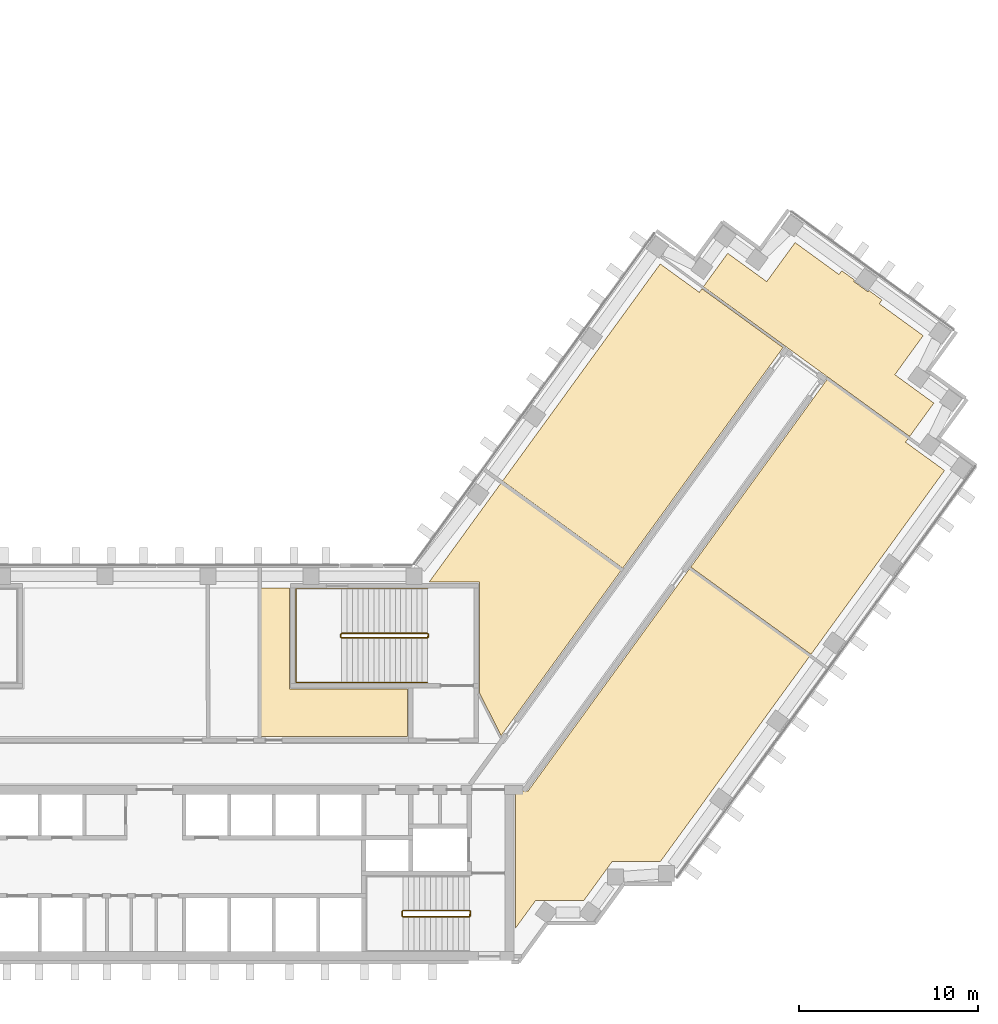
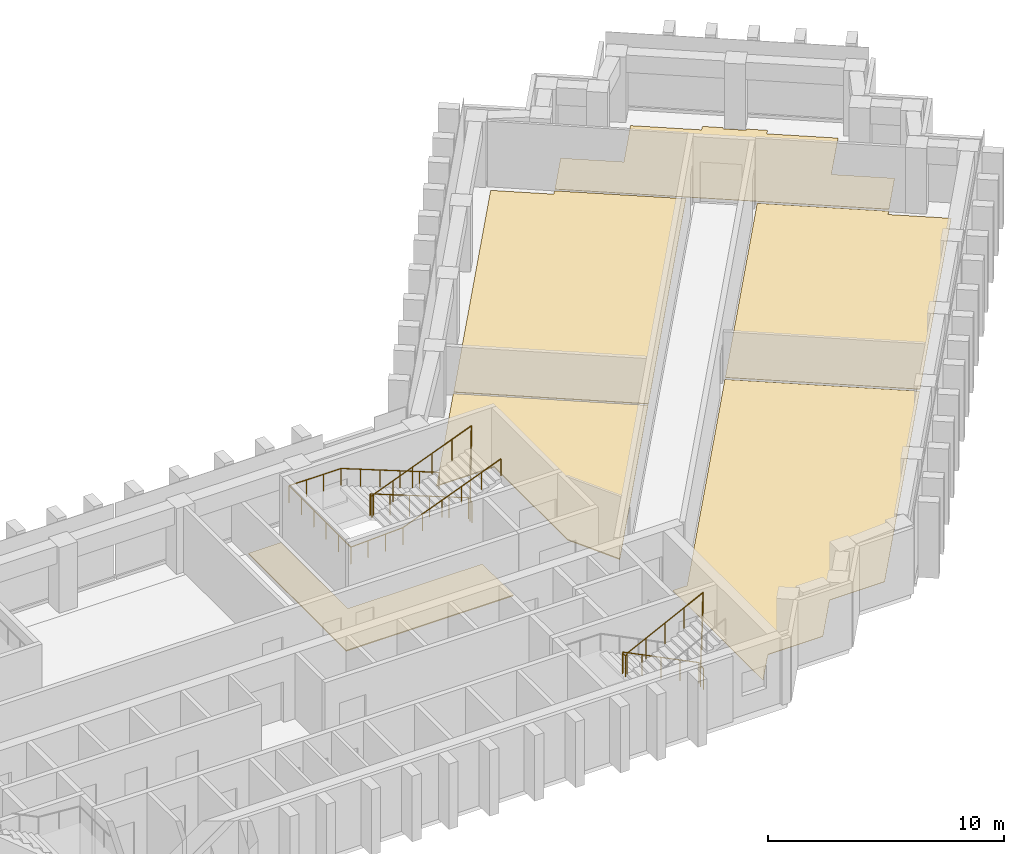
# One storey, part 11 of 11: 6 coverings, 3 railings.
"""IFC4 building model written with IfcOpenShell, lengths in metres."""

import ifcopenshell
import ifcopenshell.guid

model = None  # the IFC model being written
_history = None  # IfcOwnerHistory: only IFC2X3 demands one
_inside = {}  # id of a spatial element -> (the spatial element, [elements in it])
_under = {}  # id of a project, library or spatial element -> (it, [spatial elements below it])
_declared = {}  # id of a project -> (the project, [libraries it declares])
_typed = {}  # id of a type object -> (the type object, [elements of that type])
_made_of = {}  # id of a material, layer set ... -> (it, [elements and type objects made of it])


def new_model(schema):
    """Start an empty IFC model of exactly this schema.

    Asked for "IFC4X3", IfcOpenShell would pick the latest addendum, in which some entities
    have other attributes; the version numbers below select the first issue.
    IFC2X3 requires an IfcOwnerHistory on every rooted entity: one is made here for all.
    """
    global model, _history
    if schema == "IFC4X3":
        model = ifcopenshell.file(schema_version=(4, 3, 0, 0))
    else:
        model = ifcopenshell.file(schema=schema)
    _inside.clear()
    _under.clear()
    _declared.clear()
    _typed.clear()
    _made_of.clear()
    _history = None
    if model.schema == "IFC2X3":
        org = make("IfcOrganization", Name="unknown")
        user = make(
            "IfcPersonAndOrganization",
            ThePerson=make("IfcPerson", FamilyName="unknown"),
            TheOrganization=org,
        )
        app = make(
            "IfcApplication",
            ApplicationDeveloper=org,
            Version="unknown",
            ApplicationFullName="unknown",
            ApplicationIdentifier="unknown",
        )
        _history = make(
            "IfcOwnerHistory",
            OwningUser=user,
            OwningApplication=app,
            ChangeAction="ADDED",
            CreationDate=0,
        )
    return model


def make(cls, **values):
    """One entity of the class cls with the attributes given. An attribute that is None is left unset."""
    return model.create_entity(
        cls, **{name: value for name, value in values.items() if value is not None}
    )


def rooted(cls, **values):
    """An entity with a GlobalId (a new one), such as an element, a storey or a relation."""
    return make(cls, GlobalId=ifcopenshell.guid.new(), OwnerHistory=_history, **values)


def si_unit(unit_type, name, prefix=None):
    """IfcSIUnit, for example si_unit("LENGTHUNIT", "METRE", prefix="MILLI")."""
    return make("IfcSIUnit", UnitType=unit_type, Prefix=prefix, Name=name)


def assignment(units):
    """IfcUnitAssignment: the units of a project."""
    return None if units is None else make("IfcUnitAssignment", Units=units)


def point(xyz):
    """IfcCartesianPoint."""
    return None if xyz is None else make("IfcCartesianPoint", Coordinates=xyz)


def direction(xyz):
    """IfcDirection."""
    return None if xyz is None else make("IfcDirection", DirectionRatios=xyz)


def frame(location, z_axis=None, x_axis=None):
    """IfcAxis2Placement3D, a coordinate frame: its origin and axes. An axis left out is left unset."""
    return make(
        "IfcAxis2Placement3D",
        Location=point(location),
        Axis=direction(z_axis),
        RefDirection=direction(x_axis),
    )


def frame_2d(location, x_axis=None):
    """IfcAxis2Placement2D, a coordinate frame in the plane: its origin and x axis."""
    return make(
        "IfcAxis2Placement2D", Location=point(location), RefDirection=direction(x_axis)
    )


def origin():
    """The frame at (0, 0, 0) with its axes left unset."""
    return frame((0.0, 0.0, 0.0))


def origin_2d():
    """The frame at (0, 0) in the plane with its x axis left unset."""
    return frame_2d((0.0, 0.0))


def place(relative_to, where):
    """IfcLocalPlacement: puts the frame where relative to a parent placement (None: the world)."""
    return make(
        "IfcLocalPlacement", PlacementRelTo=relative_to, RelativePlacement=where
    )


def context(
    kind, dimensions, precision=None, world=None, true_north=None, identifier=None
):
    """IfcGeometricRepresentationContext, for example the 3D "Model" context."""
    return make(
        "IfcGeometricRepresentationContext",
        ContextIdentifier=identifier,
        ContextType=kind,
        CoordinateSpaceDimension=dimensions,
        Precision=precision,
        WorldCoordinateSystem=world,
        TrueNorth=true_north,
    )


def subcontext(parent, identifier, kind, view, scale=None):
    """IfcGeometricRepresentationSubContext, for example "Body" below "Model"."""
    return make(
        "IfcGeometricRepresentationSubContext",
        ContextIdentifier=identifier,
        ContextType=kind,
        ParentContext=parent,
        TargetScale=scale,
        TargetView=view,
    )


def project(units=None, contexts=None):
    """IfcProject with its units and contexts."""
    return rooted(
        "IfcProject",
        Name="project",
        RepresentationContexts=contexts,
        UnitsInContext=assignment(units),
    )


def spatial(cls, under=None, at=None, **own):
    """A site, building, storey or space (cls), placed at a placement, below another one or the project."""
    s = rooted(cls, ObjectPlacement=at, **own)
    if under is not None:
        _under.setdefault(under.id(), (under, []))[1].append(s)
    return s


def polyline(points):
    """IfcPolyline through the points."""
    return make("IfcPolyline", Points=[point(p) for p in points])


def profile(cls, at=None, kind="AREA", **sizes):
    """A parametric profile (cls). Its sizes go by their IFC names, for example OverallWidth=200.0."""
    return make(cls, ProfileType=kind, Position=at, **sizes)


def circle(**sizes):
    """IfcCircleProfileDef."""
    return profile("IfcCircleProfileDef", **sizes)


def outline(outer, holes=None, kind="AREA"):
    """IfcArbitraryClosedProfileDef: a profile drawn as a closed curve; with holes, ...WithVoids."""
    if holes is None:
        return make("IfcArbitraryClosedProfileDef", ProfileType=kind, OuterCurve=outer)
    return make(
        "IfcArbitraryProfileDefWithVoids",
        ProfileType=kind,
        OuterCurve=outer,
        InnerCurves=holes,
    )


def extrude(swept, where, along, depth):
    """IfcExtrudedAreaSolid: the profile swept, set in the frame where, extruded along a direction by depth."""
    return make(
        "IfcExtrudedAreaSolid",
        SweptArea=swept,
        Position=where,
        ExtrudedDirection=direction(along),
        Depth=depth,
    )


def shape(context_of_items, identifier, shape_type, items):
    """IfcShapeRepresentation: the items that make up one representation, for example the "Body"."""
    return make(
        "IfcShapeRepresentation",
        ContextOfItems=context_of_items,
        RepresentationIdentifier=identifier,
        RepresentationType=shape_type,
        Items=items,
    )


def material(Name=None, Category=None):
    """IfcMaterial."""
    return make("IfcMaterial", Name=Name, Category=Category)


def layer(
    of_material, thickness, ventilated=None, Name=None, Category=None, Priority=None
):
    """IfcMaterialLayer: one layer of a wall or slab, of a material (None: an air gap)."""
    return make(
        "IfcMaterialLayer",
        Material=of_material,
        LayerThickness=thickness,
        IsVentilated=ventilated,
        Name=Name,
        Category=Category,
        Priority=Priority,
    )


def layer_set(layers, Name=None):
    """IfcMaterialLayerSet."""
    return make("IfcMaterialLayerSet", MaterialLayers=layers, LayerSetName=Name)


def made_of(thing, what):
    """Note that an element or type object is made of a material, layer set ...; save() writes the relation."""
    if what is not None:
        _made_of.setdefault(what.id(), (what, []))[1].append(thing)
    return thing


def type_object(cls, material=None, **own):
    """A type object (cls), such as IfcWallType, which elements share."""
    return made_of(rooted(cls, **own), material)


def element(
    cls,
    number,
    at=None,
    inside=None,
    cuts=None,
    type_object=None,
    material=None,
    context=None,
    identifier="Body",
    shape_type=None,
    held_by="IfcProductDefinitionShape",
    body=None,
    shapes=None,
    **own,
):
    """One element of the class cls, such as IfcWall. Its Tag is "e" and its number.

    at: its placement. inside: the storey or other place that contains it. cuts: it is an
    opening in that element (IfcRelVoidsElement). A single representation is given by context,
    identifier, shape_type and body (its items); several are given by shapes. held_by: the class
    of the entity that holds the representations. save() writes the other relations.
    """
    e = rooted(cls, Tag="e%d" % number, ObjectPlacement=at, **own)
    if body is not None:
        shapes = [shape(context, identifier, shape_type, body)]
    if shapes is not None:
        e.Representation = make(held_by, Representations=shapes)
    if inside is not None:
        _inside.setdefault(inside.id(), (inside, []))[1].append(e)
    if cuts is not None:
        rooted(
            "IfcRelVoidsElement", RelatingBuildingElement=cuts, RelatedOpeningElement=e
        )
    if type_object is not None:
        _typed.setdefault(type_object.id(), (type_object, []))[1].append(e)
    return made_of(e, material)


def aggregate(whole, parts):
    """IfcRelAggregates: a whole, such as a stair, and the parts it consists of."""
    return rooted("IfcRelAggregates", RelatingObject=whole, RelatedObjects=parts)


def save(model, path):
    """Write the relations noted so far, then the file.

    IfcRelAggregates (storeys below a building ...), IfcRelContainedInSpatialStructure (elements
    in a storey), IfcRelDefinesByType, IfcRelAssociatesMaterial and IfcRelDeclares: one each for
    every whole, place, type object, material and project.
    """
    for whole, parts in _under.values():
        aggregate(whole, parts)
    for where, things in _inside.values():
        rooted(
            "IfcRelContainedInSpatialStructure",
            RelatedElements=things,
            RelatingStructure=where,
        )
    for kind, things in _typed.values():
        rooted("IfcRelDefinesByType", RelatedObjects=things, RelatingType=kind)
    for what, things in _made_of.values():
        rooted("IfcRelAssociatesMaterial", RelatedObjects=things, RelatingMaterial=what)
    for by, libraries in _declared.values():
        rooted("IfcRelDeclares", RelatingContext=by, RelatedDefinitions=libraries)
    model.write(path)


model = new_model("IFC4")

# Units and contexts
model_context = context("Model", 3, precision=1e-05, world=origin(), true_north=direction((0.0, 1.0)))
body_context = subcontext(model_context, "Body", "Model", "MODEL_VIEW")
ifc_project = project(units=[si_unit("LENGTHUNIT", "METRE"), si_unit("AREAUNIT", "SQUARE_METRE"), si_unit("VOLUMEUNIT", "CUBIC_METRE"), si_unit("PLANEANGLEUNIT", "RADIAN"), si_unit("MASSUNIT", "GRAM", prefix="KILO")], contexts=[model_context])

# Site, building, storey
site_placement = place(None, origin())
site = spatial("IfcSite", under=ifc_project, at=site_placement, CompositionType="ELEMENT")
building_placement = place(site_placement, origin())
building = spatial("IfcBuilding", under=site, at=building_placement, Name="Quipu Civic Tower", CompositionType="ELEMENT")
storey_placement = place(building_placement, frame((0.0, 0.0, 129.0)))
storey = spatial("IfcBuildingStorey", under=building, at=storey_placement, Name="L30", CompositionType="ELEMENT", Elevation=129.0)

# Coverings
ifc_material_1 = material(Name="Carpet tile on raised access floor")
ifc_layer_1 = layer(ifc_material_1, 0.02001953125)
ifc_layer_set_1 = layer_set([ifc_layer_1], Name="Carpet tile on raised access floor")
covering_type_1 = type_object("IfcCoveringType", Name="Carpet tile floor finish 20", PredefinedType="FLOORING", material=ifc_layer_set_1)
covering_1_placement = place(storey_placement, origin())
element("IfcCovering", 1, at=covering_1_placement, inside=storey, type_object=covering_type_1, Name="Carpet tile floor finish 20", PredefinedType="FLOORING", context=body_context, shape_type="SweptSolid", body=[
    extrude(outline(polyline([(20.070068359375, -9.195068359375), (20.070068359375, -1.52001953125), (20.77490234375, -1.51904296875), (29.7958984375, 10.89794921875), (36.52001953125, 6.013916015625), (28.181884765625, -5.4609375), (25.48193359375, -5.4619140625), (25.2080078125, -5.840087890625), (25.205078125, -5.841064453125), (25.200927734375, -5.843017578125), (25.197021484375, -5.844970703125), (25.193115234375, -5.847900390625), (25.18896484375, -5.85205078125), (25.18603515625, -5.85498046875), (25.18310546875, -5.85888671875), (25.179931640625, -5.863037109375), (25.177978515625, -5.867919921875), (25.177001953125, -5.8720703125), (25.175048828125, -5.876953125), (25.175048828125, -5.882080078125), (25.174072265625, -5.885986328125), (23.89501953125, -7.64599609375), (21.721923828125, -7.64599609375), (21.721923828125, -7.64599609375), (21.718017578125, -7.64306640625), (21.712890625, -7.64111328125), (21.708984375, -7.638916015625), (21.7041015625, -7.637939453125), (21.698974609375, -7.636962890625), (21.694091796875, -7.635986328125), (21.68896484375, -7.636962890625), (21.68408203125, -7.636962890625), (21.679931640625, -7.637939453125), (21.675048828125, -7.639892578125), (21.669921875, -7.64111328125), (21.666015625, -7.64404296875), (21.6630859375, -7.64599609375), (21.196044921875, -7.64599609375), (20.070068359375, -9.195068359375)])), origin(), (0.0, 0.0, 1.0), 0.02001953125),
])
covering_2_placement = place(storey_placement, origin())
element("IfcCovering", 2, at=covering_2_placement, inside=storey, type_object=covering_type_1, Name="Carpet tile floor finish 20", PredefinedType="FLOORING", context=body_context, shape_type="SweptSolid", body=[
    extrude(outline(polyline([(29.87890625, 11.010986328125), (37.4990234375, 21.5), (42.0380859375, 18.201904296875), (41.89208984375, 17.9990234375), (44.074951171875, 16.4140625), (36.60302734375, 6.126953125), (29.87890625, 11.010986328125)])), origin(), (0.0, 0.0, 1.0), 0.02001953125),
])
covering_3_placement = place(storey_placement, origin())
element("IfcCovering", 3, at=covering_3_placement, inside=storey, type_object=covering_type_1, Name="Carpet tile floor finish 20", PredefinedType="FLOORING", context=body_context, shape_type="SweptSolid", body=[
    extrude(outline(polyline([(30.583984375, 26.697021484375), (31.94189453125, 28.56591796875), (34.126953125, 26.97998046875), (35.712890625, 29.1640625), (38.169921875, 27.37890625), (38.324951171875, 27.587890625), (39.044921875, 27.06396484375), (39.02197265625, 27.031982421875), (39.01904296875, 27.028076171875), (39.01708984375, 27.02294921875), (39.014892578125, 27.01904296875), (39.013916015625, 27.013916015625), (39.012939453125, 27.009033203125), (39.011962890625, 27.00390625), (39.011962890625, 27.0), (39.012939453125, 26.9951171875), (39.013916015625, 26.989990234375), (39.014892578125, 26.985107421875), (39.01708984375, 26.98095703125), (39.02001953125, 26.97607421875), (39.02197265625, 26.971923828125), (39.02490234375, 26.968994140625), (39.029052734375, 26.965087890625), (39.032958984375, 26.9619140625), (39.760986328125, 26.43310546875), (39.764892578125, 26.429931640625), (39.76904296875, 26.427978515625), (39.77392578125, 26.426025390625), (39.779052734375, 26.425048828125), (39.782958984375, 26.424072265625), (39.7880859375, 26.423095703125), (39.79296875, 26.424072265625), (39.798095703125, 26.424072265625), (39.802978515625, 26.425048828125), (39.80810546875, 26.427001953125), (39.81201171875, 26.427978515625), (39.81591796875, 26.430908203125), (39.820068359375, 26.43408203125), (39.823974609375, 26.43701171875), (39.827880859375, 26.43994140625), (39.8310546875, 26.444091796875), (39.85400390625, 26.47705078125), (40.574951171875, 25.952880859375), (40.424072265625, 25.740966796875), (42.881103515625, 23.95703125), (41.2939453125, 21.77294921875), (43.47802734375, 20.18505859375), (42.12109375, 18.31591796875), (30.583984375, 26.697021484375)])), origin(), (0.0, 0.0, 1.0), 0.02001953125),
])
ifc_material_2 = material(Name="Ceramic floor tile")
ifc_layer_2 = layer(ifc_material_2, 0.030029296875)
ifc_layer_set_2 = layer_set([ifc_layer_2], Name="Ceramic floor tile")
covering_type_2 = type_object("IfcCoveringType", Name="Ceramic tile floor finish 30", PredefinedType="FLOORING", material=ifc_layer_set_2)
covering_4_placement = place(storey_placement, origin())
element("IfcCovering", 4, at=covering_4_placement, inside=storey, type_object=covering_type_2, Name="Ceramic tile floor finish 30", PredefinedType="FLOORING", context=body_context, shape_type="SweptSolid", body=[
    extrude(outline(polyline([(19.35107421875, 15.8291015625), (28.169921875, 27.968994140625), (30.35302734375, 26.383056640625), (30.5009765625, 26.583984375), (35.0400390625, 23.2880859375), (26.073974609375, 10.946044921875), (19.35107421875, 15.8291015625)])), origin(), (0.0, 0.0, 1.0), 0.030029296875),
])
ifc_material_3 = material(Name="Sealed cement screed")
ifc_layer_3 = layer(ifc_material_3, 0.050048828125)
ifc_layer_set_3 = layer_set([ifc_layer_3], Name="Sealed cement screed")
covering_type_3 = type_object("IfcCoveringType", Name="Sealed screed floor finish 50", PredefinedType="FLOORING", material=ifc_layer_set_3)
covering_5_placement = place(storey_placement, origin())
element("IfcCovering", 5, at=covering_5_placement, inside=storey, type_object=covering_type_3, Name="Sealed screed floor finish 50", PredefinedType="FLOORING", context=body_context, shape_type="SweptSolid", body=[
    extrude(outline(polyline([(5.827880859375, 1.52001953125), (5.827880859375, 9.830078125), (7.429931640625, 9.830078125), (7.430908203125, 4.179931640625), (14.030029296875, 4.179931640625), (14.030029296875, 1.52001953125), (5.827880859375, 1.52001953125)])), origin(), (0.0, 0.0, 1.0), 0.050048828125),
])
covering_6_placement = place(storey_placement, origin())
element("IfcCovering", 6, at=covering_6_placement, inside=storey, type_object=covering_type_3, Name="Sealed screed floor finish 50", PredefinedType="FLOORING", context=body_context, shape_type="SweptSolid", body=[
    extrude(outline(polyline([(15.238037109375, 10.169921875), (19.26806640625, 15.716064453125), (25.990966796875, 10.8330078125), (19.27197265625, 1.583984375), (18.070068359375, 3.94189453125), (18.070068359375, 10.1689453125), (15.238037109375, 10.169921875)])), origin(), (0.0, 0.0, 1.0), 0.050048828125),
])

# Railings
ifc_material_4 = material(Name="Stainless steel", Category="steel")
railing_type_1 = type_object("IfcRailingType", Name="Stair guard 1100", PredefinedType="GUARDRAIL", material=ifc_material_4)
railing_1_placement = place(storey_placement, frame((17.5, -8.199951171875, 0.15380859375)))
element("IfcRailing", 7, at=railing_1_placement, inside=storey, type_object=railing_type_1, Name="Stair 2 guard", PredefinedType="GUARDRAIL", context=body_context, shape_type="SweptSolid", body=[
    extrude(circle(Radius=0.02392578125, at=origin_2d()), frame((0.0, 0.0, 1.076171875), z_axis=(-0.895751851347, 0.0, 0.444554407028), x_axis=(0.0, -1.0, 0.0)), (0.0, 0.0, 1.0), 4.15283203125),
    extrude(circle(Radius=0.02392578125, at=origin_2d()), frame((-3.719970703125, 0.0, 2.92236328125), z_axis=(-0.707106781187, -0.707106781187, 0.0), x_axis=(0.707106781187, -0.707106781187, 0.0)), (0.0, 0.0, 1.0), 0.07080078125),
    extrude(circle(Radius=0.02392578125, at=origin_2d()), frame((-3.77001953125, -0.050048828125, 2.92236328125), z_axis=(0.0, -1.0, 0.0), x_axis=(1.0, 0.0, 0.0)), (0.0, 0.0, 1.0), 0.25),
    extrude(circle(Radius=0.02392578125, at=origin_2d()), frame((-3.77001953125, -0.300048828125, 2.92236328125), z_axis=(0.295599637079, -0.295599637079, 0.908428152975), x_axis=(0.707106781187, 0.707106781187, 0.0)), (0.0, 0.0, 1.0), 0.16943359375),
    extrude(circle(Radius=0.02392578125, at=origin_2d()), frame((-3.719970703125, -0.35009765625, 3.076171875), z_axis=(0.895751851347, 0.0, 0.444554407028), x_axis=(0.0, 1.0, 0.0)), (0.0, 0.0, 1.0), 4.15283203125),
    extrude(circle(Radius=0.02392578125, at=origin_2d()), frame((0.0, -0.35009765625, 4.92236328125), z_axis=(0.012476181752, 0.074796231092, -0.997120789425), x_axis=(-0.986372223864, 0.164529134168, 0.0)), (0.0, 0.0, 1.0), 4.011474609375),
    extrude(circle(Radius=0.02392578125, at=origin_2d()), frame((0.050048828125, -0.050048828125, 0.92236328125), z_axis=(0.0, -1.0, 0.0), x_axis=(1.0, 0.0, 0.0)), (0.0, 0.0, 1.0), 0.25),
    extrude(circle(Radius=0.02099609375, at=origin_2d()), origin(), (0.0, 0.0, 1.0), 1.052001953125),
    extrude(circle(Radius=0.02099609375, at=origin_2d()), frame((-0.929931640625, 0.0, 0.46142578125)), (0.0, 0.0, 1.0), 1.052001953125),
    extrude(circle(Radius=0.02099609375, at=origin_2d()), frame((-1.85986328125, 0.0, 0.923095703125)), (0.0, 0.0, 1.0), 1.052001953125),
    extrude(circle(Radius=0.02099609375, at=origin_2d()), frame((-2.7900390625, 0.0, 1.384765625)), (0.0, 0.0, 1.0), 1.052001953125),
    extrude(circle(Radius=0.02099609375, at=origin_2d()), frame((-3.719970703125, 0.0, 1.84619140625)), (0.0, 0.0, 1.0), 1.052001953125),
    extrude(circle(Radius=0.02099609375, at=origin_2d()), frame((-3.77001953125, -0.050048828125, 1.84619140625)), (0.0, 0.0, 1.0), 1.052001953125),
    extrude(circle(Radius=0.02099609375, at=origin_2d()), frame((-3.77001953125, -0.300048828125, 1.84619140625)), (0.0, 0.0, 1.0), 1.052001953125),
    extrude(circle(Radius=0.02099609375, at=origin_2d()), frame((-3.719970703125, -0.35009765625, 2.0)), (0.0, 0.0, 1.0), 1.052001953125),
    extrude(circle(Radius=0.02099609375, at=origin_2d()), frame((-2.7900390625, -0.35009765625, 2.46142578125)), (0.0, 0.0, 1.0), 1.052001953125),
    extrude(circle(Radius=0.02099609375, at=origin_2d()), frame((-1.85986328125, -0.35009765625, 2.923095703125)), (0.0, 0.0, 1.0), 1.052001953125),
    extrude(circle(Radius=0.02099609375, at=origin_2d()), frame((-0.929931640625, -0.35009765625, 3.384765625)), (0.0, 0.0, 1.0), 1.052001953125),
    extrude(circle(Radius=0.02099609375, at=origin_2d()), frame((0.0, -0.35009765625, 3.84619140625)), (0.0, 0.0, 1.0), 1.052001953125),
    extrude(circle(Radius=0.02099609375, at=origin_2d()), frame((0.012451171875, -0.275146484375, 2.84619140625)), (0.0, 0.0, 1.0), 1.052001953125),
    extrude(circle(Radius=0.02099609375, at=origin_2d()), frame((0.02490234375, -0.2001953125, 1.84619140625)), (0.0, 0.0, 1.0), 1.052001953125),
    extrude(circle(Radius=0.02099609375, at=origin_2d()), frame((0.03759765625, -0.125, 0.84619140625)), (0.0, 0.0, 1.0), 1.052001953125),
    extrude(circle(Radius=0.02099609375, at=origin_2d()), frame((0.050048828125, -0.050048828125, -0.15380859375)), (0.0, 0.0, 1.0), 1.052001953125),
    extrude(circle(Radius=0.02099609375, at=origin_2d()), frame((0.050048828125, -0.300048828125, -0.15380859375)), (0.0, 0.0, 1.0), 1.052001953125),
])
railing_2_placement = place(storey_placement, frame((15.14990234375, 7.300048828125, 0.11767578125)))
element("IfcRailing", 8, at=railing_2_placement, inside=storey, type_object=railing_type_1, Name="Stair 4 guard", PredefinedType="GUARDRAIL", context=body_context, shape_type="SweptSolid", body=[
    extrude(circle(Radius=0.02392578125, at=origin_2d()), frame((0.0, 0.0, 1.076171875), z_axis=(-0.930970042603, 0.0, 0.365095576219), x_axis=(0.0, -1.0, 0.0)), (0.0, 0.0, 1.0), 5.15576171875),
    extrude(circle(Radius=0.02392578125, at=origin_2d()), frame((-4.7998046875, 0.0, 2.95849609375), z_axis=(-0.707106781187, -0.707106781187, 0.0), x_axis=(0.707106781187, -0.707106781187, 0.0)), (0.0, 0.0, 1.0), 0.07080078125),
    extrude(circle(Radius=0.02392578125, at=origin_2d()), frame((-4.849853515625, -0.050048828125, 2.95849609375), z_axis=(0.0, -1.0, 0.0), x_axis=(1.0, 0.0, 0.0)), (0.0, 0.0, 1.0), 0.14990234375),
    extrude(circle(Radius=0.02392578125, at=origin_2d()), frame((-4.849853515625, -0.199951171875, 2.95849609375), z_axis=(0.364463019033, -0.364463019033, 0.856932561824), x_axis=(0.707106781187, 0.707106781187, 0.0)), (0.0, 0.0, 1.0), 0.13720703125),
    extrude(circle(Radius=0.02392578125, at=origin_2d()), frame((-4.7998046875, -0.25, 3.076171875), z_axis=(0.930970042603, 0.0, 0.365095576219), x_axis=(0.0, 1.0, 0.0)), (0.0, 0.0, 1.0), 5.15576171875),
    extrude(circle(Radius=0.02392578125, at=origin_2d()), frame((0.0, -0.25, 4.95849609375), z_axis=(0.012495627992, 0.049921557685, -0.998674970829), x_axis=(-0.970072785993, 0.242814311512, 0.0)), (0.0, 0.0, 1.0), 4.00537109375),
    extrude(circle(Radius=0.02392578125, at=origin_2d()), frame((0.050048828125, -0.050048828125, 0.95849609375), z_axis=(0.0, -1.0, 0.0), x_axis=(1.0, 0.0, 0.0)), (0.0, 0.0, 1.0), 0.14990234375),
    extrude(circle(Radius=0.02099609375, at=origin_2d()), origin(), (0.0, 0.0, 1.0), 1.052001953125),
    extrude(circle(Radius=0.02099609375, at=origin_2d()), frame((-0.9599609375, 0.0, 0.37646484375)), (0.0, 0.0, 1.0), 1.052001953125),
    extrude(circle(Radius=0.02099609375, at=origin_2d()), frame((-1.919921875, 0.0, 0.7529296875)), (0.0, 0.0, 1.0), 1.052001953125),
    extrude(circle(Radius=0.02099609375, at=origin_2d()), frame((-2.8798828125, 0.0, 1.12939453125)), (0.0, 0.0, 1.0), 1.052001953125),
    extrude(circle(Radius=0.02099609375, at=origin_2d()), frame((-3.83984375, 0.0, 1.505859375)), (0.0, 0.0, 1.0), 1.052001953125),
    extrude(circle(Radius=0.02099609375, at=origin_2d()), frame((-4.7998046875, 0.0, 1.88232421875)), (0.0, 0.0, 1.0), 1.052001953125),
    extrude(circle(Radius=0.02099609375, at=origin_2d()), frame((-4.849853515625, -0.050048828125, 1.88232421875)), (0.0, 0.0, 1.0), 1.052001953125),
    extrude(circle(Radius=0.02099609375, at=origin_2d()), frame((-4.849853515625, -0.199951171875, 1.88232421875)), (0.0, 0.0, 1.0), 1.052001953125),
    extrude(circle(Radius=0.02099609375, at=origin_2d()), frame((-4.7998046875, -0.25, 2.0)), (0.0, 0.0, 1.0), 1.052001953125),
    extrude(circle(Radius=0.02099609375, at=origin_2d()), frame((-3.83984375, -0.25, 2.37646484375)), (0.0, 0.0, 1.0), 1.052001953125),
    extrude(circle(Radius=0.02099609375, at=origin_2d()), frame((-2.8798828125, -0.25, 2.7529296875)), (0.0, 0.0, 1.0), 1.052001953125),
    extrude(circle(Radius=0.02099609375, at=origin_2d()), frame((-1.919921875, -0.25, 3.12939453125)), (0.0, 0.0, 1.0), 1.052001953125),
    extrude(circle(Radius=0.02099609375, at=origin_2d()), frame((-0.9599609375, -0.25, 3.505859375)), (0.0, 0.0, 1.0), 1.052001953125),
    extrude(circle(Radius=0.02099609375, at=origin_2d()), frame((0.0, -0.25, 3.88232421875)), (0.0, 0.0, 1.0), 1.052001953125),
    extrude(circle(Radius=0.02099609375, at=origin_2d()), frame((0.012451171875, -0.199951171875, 2.88232421875)), (0.0, 0.0, 1.0), 1.052001953125),
    extrude(circle(Radius=0.02099609375, at=origin_2d()), frame((0.02490234375, -0.14990234375, 1.88232421875)), (0.0, 0.0, 1.0), 1.052001953125),
    extrude(circle(Radius=0.02099609375, at=origin_2d()), frame((0.03759765625, -0.10009765625, 0.88232421875)), (0.0, 0.0, 1.0), 1.052001953125),
    extrude(circle(Radius=0.02099609375, at=origin_2d()), frame((0.050048828125, -0.050048828125, -0.11767578125)), (0.0, 0.0, 1.0), 1.052001953125),
    extrude(circle(Radius=0.02099609375, at=origin_2d()), frame((0.050048828125, -0.199951171875, -0.11767578125)), (0.0, 0.0, 1.0), 1.052001953125),
])
ifc_material_5 = material(Name="Stainless steel", Category="steel")
railing_type_2 = type_object("IfcRailingType", Name="Stair handrail", PredefinedType="HANDRAIL", material=ifc_material_5)
railing_3_placement = place(storey_placement, frame((15.14990234375, 9.800048828125, 0.11767578125)))
element("IfcRailing", 9, at=railing_3_placement, inside=storey, type_object=railing_type_2, Name="Stair 4 handrail", PredefinedType="HANDRAIL", context=body_context, shape_type="SweptSolid", body=[
    extrude(circle(Radius=0.02392578125, at=origin_2d()), frame((0.0, 0.0, 0.8759765625), z_axis=(-0.930970042603, 0.0, 0.365095576219), x_axis=(0.0, -1.0, 0.0)), (0.0, 0.0, 1.0), 5.15576171875),
    extrude(circle(Radius=0.02392578125, at=origin_2d()), frame((-4.7998046875, 0.0, 2.75830078125), z_axis=(-1.0, 0.0, 0.0), x_axis=(0.0, -1.0, 0.0)), (0.0, 0.0, 1.0), 2.550048828125),
    extrude(circle(Radius=0.02392578125, at=origin_2d()), frame((-7.349853515625, 0.0, 2.75830078125), z_axis=(0.0, -1.0, 0.0), x_axis=(1.0, 0.0, 0.0)), (0.0, 0.0, 1.0), 5.25),
    extrude(circle(Radius=0.02392578125, at=origin_2d()), frame((-7.349853515625, -5.25, 2.75830078125), z_axis=(0.998936948642, 0.0, 0.04609742549), x_axis=(0.0, 1.0, 0.0)), (0.0, 0.0, 1.0), 2.552734375),
    extrude(circle(Radius=0.02392578125, at=origin_2d()), frame((-4.7998046875, -5.25, 2.8759765625), z_axis=(0.930970042603, 0.0, 0.365095576219), x_axis=(0.0, 1.0, 0.0)), (0.0, 0.0, 1.0), 5.15576171875),
    extrude(circle(Radius=0.02099609375, at=origin_2d()), origin(), (0.0, 0.0, 1.0), 0.851806640625),
    extrude(circle(Radius=0.02099609375, at=origin_2d()), frame((-0.9599609375, 0.0, 0.37646484375)), (0.0, 0.0, 1.0), 0.851806640625),
    extrude(circle(Radius=0.02099609375, at=origin_2d()), frame((-1.919921875, 0.0, 0.7529296875)), (0.0, 0.0, 1.0), 0.851806640625),
    extrude(circle(Radius=0.02099609375, at=origin_2d()), frame((-2.8798828125, 0.0, 1.12939453125)), (0.0, 0.0, 1.0), 0.851806640625),
    extrude(circle(Radius=0.02099609375, at=origin_2d()), frame((-3.83984375, 0.0, 1.505859375)), (0.0, 0.0, 1.0), 0.851806640625),
    extrude(circle(Radius=0.02099609375, at=origin_2d()), frame((-4.7998046875, 0.0, 1.88232421875)), (0.0, 0.0, 1.0), 0.851806640625),
    extrude(circle(Radius=0.02099609375, at=origin_2d()), frame((-5.64990234375, 0.0, 1.88232421875)), (0.0, 0.0, 1.0), 0.851806640625),
    extrude(circle(Radius=0.02099609375, at=origin_2d()), frame((-6.499755859375, 0.0, 1.88232421875)), (0.0, 0.0, 1.0), 0.851806640625),
    extrude(circle(Radius=0.02099609375, at=origin_2d()), frame((-7.349853515625, 0.0, 1.88232421875)), (0.0, 0.0, 1.0), 0.851806640625),
    extrude(circle(Radius=0.02099609375, at=origin_2d()), frame((-7.349853515625, -1.050048828125, 1.88232421875)), (0.0, 0.0, 1.0), 0.851806640625),
    extrude(circle(Radius=0.02099609375, at=origin_2d()), frame((-7.349853515625, -2.10009765625, 1.88232421875)), (0.0, 0.0, 1.0), 0.851806640625),
    extrude(circle(Radius=0.02099609375, at=origin_2d()), frame((-7.349853515625, -3.14990234375, 1.88232421875)), (0.0, 0.0, 1.0), 0.851806640625),
    extrude(circle(Radius=0.02099609375, at=origin_2d()), frame((-7.349853515625, -4.199951171875, 1.88232421875)), (0.0, 0.0, 1.0), 0.851806640625),
    extrude(circle(Radius=0.02099609375, at=origin_2d()), frame((-7.349853515625, -5.25, 1.88232421875)), (0.0, 0.0, 1.0), 0.851806640625),
    extrude(circle(Radius=0.02099609375, at=origin_2d()), frame((-6.499755859375, -5.25, 1.921630859375)), (0.0, 0.0, 1.0), 0.851806640625),
    extrude(circle(Radius=0.02099609375, at=origin_2d()), frame((-5.64990234375, -5.25, 1.960693359375)), (0.0, 0.0, 1.0), 0.851806640625),
    extrude(circle(Radius=0.02099609375, at=origin_2d()), frame((-4.7998046875, -5.25, 2.0)), (0.0, 0.0, 1.0), 0.851806640625),
    extrude(circle(Radius=0.02099609375, at=origin_2d()), frame((-3.83984375, -5.25, 2.37646484375)), (0.0, 0.0, 1.0), 0.851806640625),
    extrude(circle(Radius=0.02099609375, at=origin_2d()), frame((-2.8798828125, -5.25, 2.7529296875)), (0.0, 0.0, 1.0), 0.851806640625),
    extrude(circle(Radius=0.02099609375, at=origin_2d()), frame((-1.919921875, -5.25, 3.12939453125)), (0.0, 0.0, 1.0), 0.851806640625),
    extrude(circle(Radius=0.02099609375, at=origin_2d()), frame((-0.9599609375, -5.25, 3.505859375)), (0.0, 0.0, 1.0), 0.851806640625),
    extrude(circle(Radius=0.02099609375, at=origin_2d()), frame((0.0, -5.25, 3.88232421875)), (0.0, 0.0, 1.0), 0.851806640625),
])

save(model, "model.ifc")
